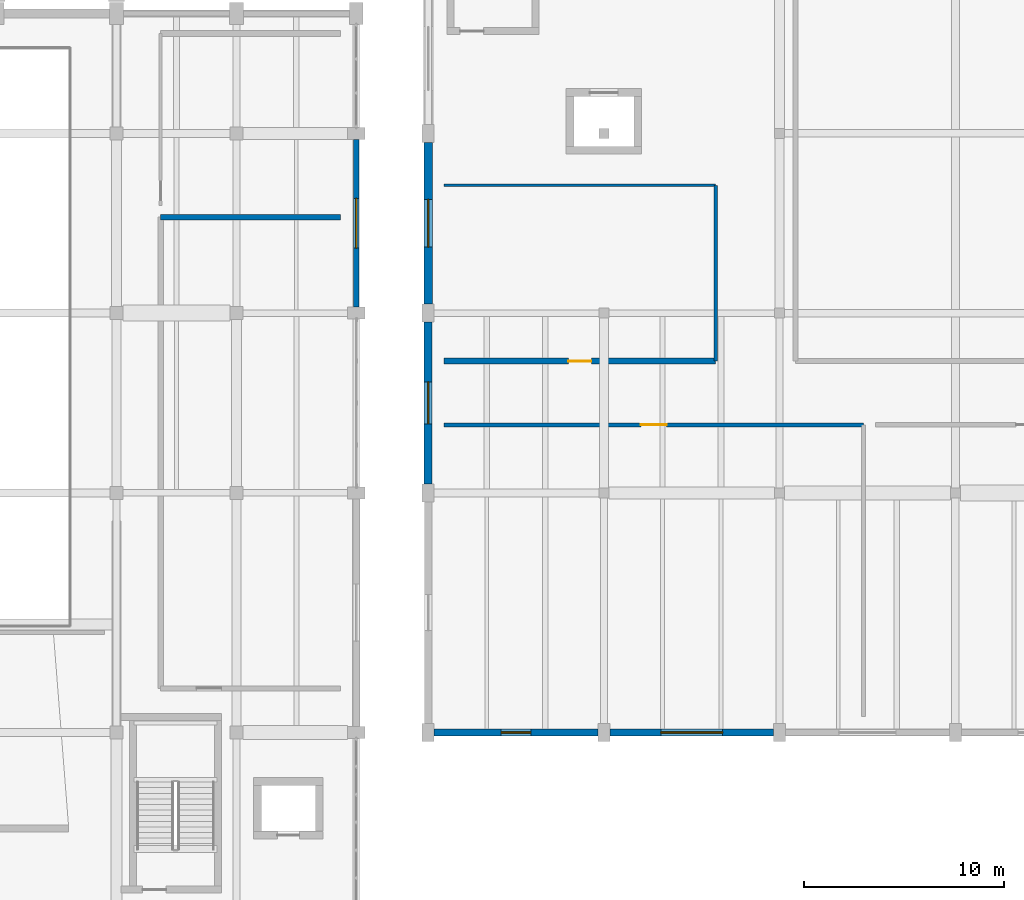
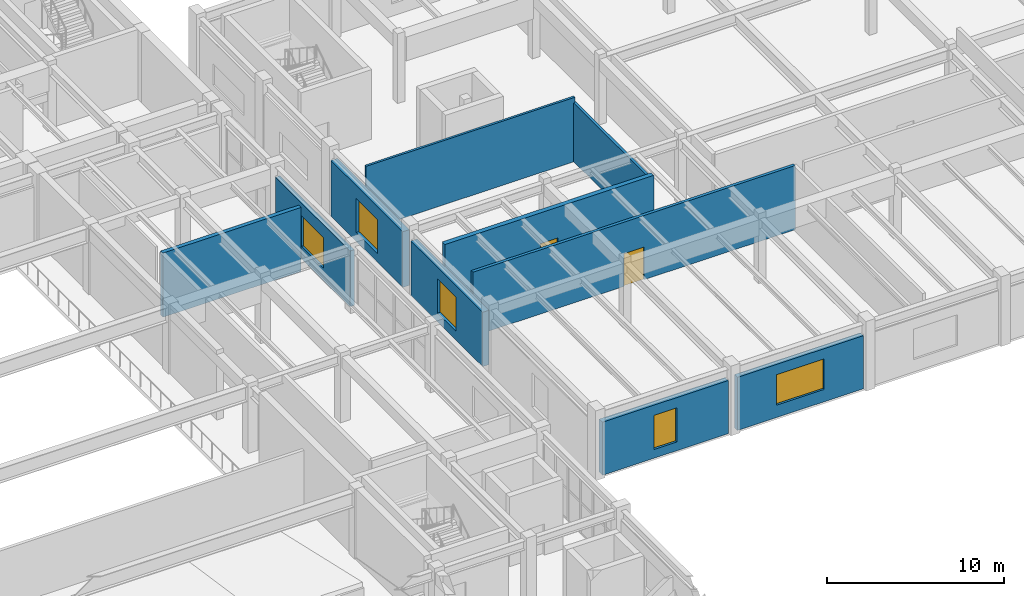
# One storey, part 59 of 80: 10 walls, 5 windows, 2 doors, 7 openings.
"""IFC4 building model written with IfcOpenShell, lengths in metres."""

from ifc_helpers import new_model, si_unit, direction, frame, frame_2d, origin, place, context, subcontext, project, spatial, rectangle, extrude, material, layer, layer_set, type_object, element, fill, save


model = new_model("IFC4")

# Units and contexts
model_context = context("Model", 3, precision=1e-05, world=origin(), true_north=direction((0.0, 1.0)))
body_context = subcontext(model_context, "Body", "Model", "MODEL_VIEW")
ifc_project = project(units=[si_unit("LENGTHUNIT", "METRE"), si_unit("AREAUNIT", "SQUARE_METRE"), si_unit("VOLUMEUNIT", "CUBIC_METRE"), si_unit("PLANEANGLEUNIT", "RADIAN"), si_unit("MASSUNIT", "GRAM", prefix="KILO")], contexts=[model_context])

# Site, building, storey
site_placement = place(None, origin())
site = spatial("IfcSite", under=ifc_project, at=site_placement, CompositionType="ELEMENT")
building_placement = place(site_placement, origin())
building = spatial("IfcBuilding", under=site, at=building_placement, Name="Vaelkrest Opera House", CompositionType="ELEMENT")
storey_placement = place(building_placement, frame((0.0, 0.0, 15.0)))
storey = spatial("IfcBuildingStorey", under=building, at=storey_placement, Name="L03", CompositionType="ELEMENT", Elevation=15.0)

# Wall, opening, window
ifc_material_1 = material(Name="Douglas fir glulam GL28h", Category="wood")
ifc_layer_1 = layer(ifc_material_1, 0.294921875)
ifc_layer_set_1 = layer_set([ifc_layer_1], Name="Douglas fir glulam GL28h")
wall_type_1 = type_object("IfcWallType", Name="EW03", PredefinedType="STANDARD", material=ifc_layer_set_1)
wall_1_placement = place(storey_placement, frame((30.0, 9.902099609375, 0.0), z_axis=(0.0, 0.0, 1.0), x_axis=(0.0, -1.0, 0.0)))
wall_1 = element("IfcWall", 1, at=wall_1_placement, inside=storey, type_object=wall_type_1, Name="Exterior facade wall EW-V1-L03-0093", PredefinedType="STANDARD", context=body_context, shape_type="SweptSolid", body=[
    extrude(rectangle(XDim=8.404052734375, YDim=0.294921875, at=frame_2d((4.2021484375, 0.0))), origin(), (0.0, 0.0, 1.0), 3.8291015625),
])
opening_1_placement = place(wall_1_placement, frame((2.951904296875, 0.0, 0.85009765625)))
opening_1 = element("IfcOpeningElement", 2, at=opening_1_placement, cuts=wall_1, Name="Opening WN044", PredefinedType="OPENING", context=body_context, shape_type="SweptSolid", body=[
    extrude(rectangle(XDim=2.5, YDim=2.10009765625, at=frame_2d((1.25, 1.050048828125))), frame((0.0, 0.157470703125, 0.0), z_axis=(0.0, -1.0, 0.0), x_axis=(1.0, 0.0, 0.0)), (0.0, 0.0, 1.0), 0.31494140625),
])
ifc_material_2 = material(Name="Double low-E insulated glazing", Category="glass")
window_type_1 = type_object("IfcWindowType", Name="WT18", PartitioningType="SINGLE_PANEL", PredefinedType="WINDOW", material=ifc_material_2)
window_1_placement = place(opening_1_placement, origin())
window_1 = element("IfcWindow", 3, at=window_1_placement, inside=storey, type_object=window_type_1, Name="Facade window WN044", OverallHeight=2.10009765625, OverallWidth=2.5, PartitioningType="SINGLE_PANEL", PredefinedType="WINDOW", context=body_context, shape_type="SweptSolid", body=[
    extrude(rectangle(XDim=2.5, YDim=2.10009765625, at=frame_2d((1.25, 1.050048828125))), frame((0.0, 0.030029296875, 0.0), z_axis=(0.0, -1.0, 0.0), x_axis=(1.0, 0.0, 0.0)), (0.0, 0.0, 1.0), 0.06005859375),
])
fill(opening_1, window_1)

ifc_material_3 = material(Name="American black walnut acoustic timber", Category="wood")
ifc_layer_2 = layer(ifc_material_3, 0.3349609375)
ifc_layer_set_2 = layer_set([ifc_layer_2], Name="American black walnut acoustic timber")
wall_type_2 = type_object("IfcWallType", Name="EW05", PredefinedType="STANDARD", material=ifc_layer_set_2)
wall_2_placement = place(storey_placement, frame((50.902099609375, -19.800048828125, 0.0), z_axis=(0.0, 0.0, 1.0), x_axis=(-1.0, 0.0, 0.0)))
wall_2 = element("IfcWall", 4, at=wall_2_placement, inside=storey, type_object=wall_type_2, Name="Exterior facade wall EW-V4-L03-0265", PredefinedType="STANDARD", context=body_context, shape_type="SweptSolid", body=[
    extrude(rectangle(XDim=8.2041015625, YDim=0.3349609375, at=frame_2d((4.10205078125, 0.0))), origin(), (0.0, 0.0, 1.0), 3.659912109375),
])
opening_2_placement = place(wall_2_placement, frame((2.552001953125, 0.0, 0.85009765625)))
opening_2 = element("IfcOpeningElement", 5, at=opening_2_placement, cuts=wall_2, Name="Opening WN150", PredefinedType="OPENING", context=body_context, shape_type="SweptSolid", body=[
    extrude(rectangle(XDim=3.10009765625, YDim=2.10009765625, at=frame_2d((1.550048828125, 1.050048828125))), frame((0.0, 0.177490234375, 0.0), z_axis=(0.0, -1.0, 0.0), x_axis=(1.0, 0.0, 0.0)), (0.0, 0.0, 1.0), 0.35498046875),
])
window_type_2 = type_object("IfcWindowType", Name="WT20", PartitioningType="SINGLE_PANEL", PredefinedType="WINDOW", material=ifc_material_2)
window_2_placement = place(opening_2_placement, origin())
window_2 = element("IfcWindow", 6, at=window_2_placement, inside=storey, type_object=window_type_2, Name="Facade window WN150", OverallHeight=2.10009765625, OverallWidth=3.10009765625, PartitioningType="SINGLE_PANEL", PredefinedType="WINDOW", context=body_context, shape_type="SweptSolid", body=[
    extrude(rectangle(XDim=3.10009765625, YDim=2.10009765625, at=frame_2d((1.550048828125, 1.050048828125))), frame((0.0, 0.030029296875, 0.0), z_axis=(0.0, -1.0, 0.0), x_axis=(1.0, 0.0, 0.0)), (0.0, 0.0, 1.0), 0.06005859375),
])
fill(opening_2, window_2)

ifc_layer_3 = layer(ifc_material_3, 0.360107421875)
ifc_layer_set_3 = layer_set([ifc_layer_3], Name="American black walnut acoustic timber")
wall_type_3 = type_object("IfcWallType", Name="EW06", PredefinedType="STANDARD", material=ifc_layer_set_3)
wall_3_placement = place(storey_placement, frame((42.10205078125, -19.800048828125, 0.0), z_axis=(0.0, 0.0, 1.0), x_axis=(-1.0, 0.0, 0.0)))
wall_3 = element("IfcWall", 7, at=wall_3_placement, inside=storey, type_object=wall_type_3, Name="Exterior facade wall EW-V4-L03-0266", PredefinedType="STANDARD", context=body_context, shape_type="SweptSolid", body=[
    extrude(rectangle(XDim=8.2041015625, YDim=0.360107421875, at=frame_2d((4.10205078125, 0.0))), origin(), (0.0, 0.0, 1.0), 3.659912109375),
])
opening_3_placement = place(wall_3_placement, frame((3.35205078125, 0.0, 0.60009765625)))
opening_3 = element("IfcOpeningElement", 8, at=opening_3_placement, cuts=wall_3, Name="Opening WN151", PredefinedType="OPENING", context=body_context, shape_type="SweptSolid", body=[
    extrude(rectangle(XDim=1.5, YDim=2.35009765625, at=frame_2d((0.75, 1.175048828125))), frame((0.0, 0.18994140625, 0.0), z_axis=(0.0, -1.0, 0.0), x_axis=(1.0, 0.0, 0.0)), (0.0, 0.0, 1.0), 0.380126953125),
])
window_type_3 = type_object("IfcWindowType", Name="WT21", PartitioningType="SINGLE_PANEL", PredefinedType="WINDOW", material=ifc_material_2)
window_3_placement = place(opening_3_placement, origin())
window_3 = element("IfcWindow", 9, at=window_3_placement, inside=storey, type_object=window_type_3, Name="Facade window WN151", OverallHeight=2.35009765625, OverallWidth=1.5, PartitioningType="SINGLE_PANEL", PredefinedType="WINDOW", context=body_context, shape_type="SweptSolid", body=[
    extrude(rectangle(XDim=1.5, YDim=2.35009765625, at=frame_2d((0.75, 1.175048828125))), frame((0.0, 0.030029296875, 0.0), z_axis=(0.0, -1.0, 0.0), x_axis=(1.0, 0.0, 0.0)), (0.0, 0.0, 1.0), 0.06005859375),
])
fill(opening_3, window_3)

ifc_material_4 = material(Name="Concrete C40/50", Category="concrete")
ifc_layer_4 = layer(ifc_material_4, 0.409912109375)
ifc_layer_set_4 = layer_set([ifc_layer_4], Name="Concrete C40/50")
wall_type_4 = type_object("IfcWallType", Name="EW08", PredefinedType="STANDARD", material=ifc_layer_set_4)
wall_4_placement = place(storey_placement, frame((33.60009765625, -7.35205078125, 0.0), z_axis=(0.0, 0.0, 1.0), x_axis=(0.0, 1.0, 0.0)))
wall_4 = element("IfcWall", 10, at=wall_4_placement, inside=storey, type_object=wall_type_4, Name="Exterior facade wall EW-V4-L03-0268", PredefinedType="STANDARD", context=body_context, shape_type="SweptSolid", body=[
    extrude(rectangle(XDim=8.10400390625, YDim=0.409912109375, at=frame_2d((4.052001953125, 0.0))), origin(), (0.0, 0.0, 1.0), 3.743896484375),
])
opening_4_placement = place(wall_4_placement, frame((3.001953125, 0.0, 0.60009765625)))
opening_4 = element("IfcOpeningElement", 11, at=opening_4_placement, cuts=wall_4, Name="Opening WN153", PredefinedType="OPENING", context=body_context, shape_type="SweptSolid", body=[
    extrude(rectangle(XDim=2.10009765625, YDim=2.35009765625, at=frame_2d((1.050048828125, 1.175048828125))), frame((0.0, 0.21484375, 0.0), z_axis=(0.0, -1.0, 0.0), x_axis=(1.0, 0.0, 0.0)), (0.0, 0.0, 1.0), 0.429931640625),
])
window_type_4 = type_object("IfcWindowType", Name="WT23", PartitioningType="SINGLE_PANEL", PredefinedType="WINDOW", material=ifc_material_2)
window_4_placement = place(opening_4_placement, origin())
window_4 = element("IfcWindow", 12, at=window_4_placement, inside=storey, type_object=window_type_4, Name="Facade window WN153", OverallHeight=2.35009765625, OverallWidth=2.10009765625, PartitioningType="SINGLE_PANEL", PredefinedType="WINDOW", context=body_context, shape_type="SweptSolid", body=[
    extrude(rectangle(XDim=2.10009765625, YDim=2.35009765625, at=frame_2d((1.050048828125, 1.175048828125))), frame((0.0, 0.030029296875, 0.0), z_axis=(0.0, -1.0, 0.0), x_axis=(1.0, 0.0, 0.0)), (0.0, 0.0, 1.0), 0.06005859375),
])
fill(opening_4, window_4)

ifc_layer_5 = layer(ifc_material_4, 0.43505859375)
ifc_layer_set_5 = layer_set([ifc_layer_5], Name="Concrete C40/50")
wall_type_5 = type_object("IfcWallType", Name="EW09", PredefinedType="STANDARD", material=ifc_layer_set_5)
wall_5_placement = place(storey_placement, frame((33.60009765625, 1.64794921875, 0.0), z_axis=(0.0, 0.0, 1.0), x_axis=(0.0, 1.0, 0.0)))
wall_5 = element("IfcWall", 13, at=wall_5_placement, inside=storey, type_object=wall_type_5, Name="Exterior facade wall EW-V4-L03-0269", PredefinedType="STANDARD", context=body_context, shape_type="SweptSolid", body=[
    extrude(rectangle(XDim=8.10400390625, YDim=0.43505859375, at=frame_2d((4.052001953125, 0.0))), origin(), (0.0, 0.0, 1.0), 3.8291015625),
])
opening_5_placement = place(wall_5_placement, frame((2.85205078125, 0.0, 0.60009765625)))
opening_5 = element("IfcOpeningElement", 14, at=opening_5_placement, cuts=wall_5, Name="Opening WN154", PredefinedType="OPENING", context=body_context, shape_type="SweptSolid", body=[
    extrude(rectangle(XDim=2.39990234375, YDim=2.35009765625, at=frame_2d((1.199951171875, 1.175048828125))), frame((0.0, 0.2275390625, 0.0), z_axis=(0.0, -1.0, 0.0), x_axis=(1.0, 0.0, 0.0)), (0.0, 0.0, 1.0), 0.455078125),
])
window_type_5 = type_object("IfcWindowType", Name="WT24", PartitioningType="SINGLE_PANEL", PredefinedType="WINDOW", material=ifc_material_2)
window_5_placement = place(opening_5_placement, origin())
window_5 = element("IfcWindow", 15, at=window_5_placement, inside=storey, type_object=window_type_5, Name="Facade window WN154", OverallHeight=2.35009765625, OverallWidth=2.39990234375, PartitioningType="SINGLE_PANEL", PredefinedType="WINDOW", context=body_context, shape_type="SweptSolid", body=[
    extrude(rectangle(XDim=2.39990234375, YDim=2.35009765625, at=frame_2d((1.199951171875, 1.175048828125))), frame((0.0, 0.030029296875, 0.0), z_axis=(0.0, -1.0, 0.0), x_axis=(1.0, 0.0, 0.0)), (0.0, 0.0, 1.0), 0.06005859375),
])
fill(opening_5, window_5)

# Wall, opening, door
ifc_material_5 = material(Name="Gypsum acoustic board", Category="gypsum")
ifc_layer_6 = layer(ifc_material_5, 0.195068359375)
ifc_layer_set_6 = layer_set([ifc_layer_6], Name="Gypsum acoustic board")
wall_type_6 = type_object("IfcWallType", Name="PT06", PredefinedType="PARTITIONING", material=ifc_layer_set_6)
wall_6_placement = place(storey_placement, frame((34.39990234375, -4.39990234375, 0.0), z_axis=(0.0, 0.0, 1.0), x_axis=(1.0, 0.0, 0.0)))
wall_6 = element("IfcWall", 16, at=wall_6_placement, inside=storey, type_object=wall_type_6, Name="Interior partition PT-V4-L03-0384", PredefinedType="PARTITIONING", context=body_context, shape_type="SweptSolid", body=[
    extrude(rectangle(XDim=21.0, YDim=0.195068359375, at=frame_2d((10.5, 0.0))), origin(), (0.0, 0.0, 1.0), 4.419921875),
])
opening_6_placement = place(wall_6_placement, frame((9.85009765625, 0.0, 0.0)))
opening_6 = element("IfcOpeningElement", 17, at=opening_6_placement, cuts=wall_6, Name="Opening D158", PredefinedType="OPENING", context=body_context, shape_type="SweptSolid", body=[
    extrude(rectangle(XDim=1.300048828125, YDim=2.25, at=frame_2d((0.64990234375, 1.125))), frame((0.0, 0.107421875, 0.0), z_axis=(0.0, -1.0, 0.0), x_axis=(1.0, 0.0, 0.0)), (0.0, 0.0, 1.0), 0.215087890625),
])
door_type_1 = type_object("IfcDoorType", Name="DT09", OperationType="NOTDEFINED", PredefinedType="DOOR", material=ifc_material_3)
door_1_placement = place(opening_6_placement, origin())
door_1 = element("IfcDoor", 18, at=door_1_placement, inside=storey, type_object=door_type_1, Name="Interior door D158 (Orchestra Dressing Room)", OperationType="SINGLE_SWING_LEFT", OverallHeight=2.25, OverallWidth=1.300048828125, PredefinedType="DOOR", context=body_context, shape_type="SweptSolid", body=[
    extrude(rectangle(XDim=1.300048828125, YDim=2.25, at=frame_2d((0.64990234375, 1.125))), frame((0.0, 0.02490234375, 0.0), z_axis=(0.0, -1.0, 0.0), x_axis=(1.0, 0.0, 0.0)), (0.0, 0.0, 1.0), 0.050048828125),
])
fill(opening_6, door_1)

# Wall
ifc_layer_7 = layer(ifc_material_4, 0.260009765625)
ifc_layer_set_7 = layer_set([ifc_layer_7], Name="Concrete C40/50")
wall_type_7 = type_object("IfcWallType", Name="PT10", PredefinedType="PARTITIONING", material=ifc_layer_set_7)
wall_7_placement = place(storey_placement, frame((20.199951171875, 6.0, 0.0), z_axis=(0.0, 0.0, 1.0), x_axis=(1.0, 0.0, 0.0)))
element("IfcWall", 19, at=wall_7_placement, inside=storey, type_object=wall_type_7, Name="Interior partition PT-V1-L03-0094", PredefinedType="PARTITIONING", context=body_context, shape_type="SweptSolid", body=[
    extrude(rectangle(XDim=9.0, YDim=0.260009765625, at=frame_2d((4.5, 0.0))), origin(), (0.0, 0.0, 1.0), 4.419921875),
])

# Wall, opening, door
ifc_layer_8 = layer(ifc_material_4, 0.304931640625)
ifc_layer_set_8 = layer_set([ifc_layer_8], Name="Concrete C40/50")
wall_type_8 = type_object("IfcWallType", Name="PT12", PredefinedType="PARTITIONING", material=ifc_layer_set_8)
wall_8_placement = place(storey_placement, frame((34.39990234375, -1.199951171875, 0.0), z_axis=(0.0, 0.0, 1.0), x_axis=(1.0, 0.0, 0.0)))
wall_8 = element("IfcWall", 20, at=wall_8_placement, inside=storey, type_object=wall_type_8, Name="Interior partition PT-V4-L03-0390", PredefinedType="PARTITIONING", context=body_context, shape_type="SweptSolid", body=[
    extrude(rectangle(XDim=13.60009765625, YDim=0.304931640625, at=frame_2d((6.800048828125, 0.0))), origin(), (0.0, 0.0, 1.0), 4.419921875),
])
opening_7_placement = place(wall_8_placement, frame((6.22509765625, 0.0, 0.0)))
opening_7 = element("IfcOpeningElement", 21, at=opening_7_placement, cuts=wall_8, Name="Opening D161", PredefinedType="OPENING", context=body_context, shape_type="SweptSolid", body=[
    extrude(rectangle(XDim=1.14990234375, YDim=2.300048828125, at=frame_2d((0.574951171875, 1.14990234375))), frame((0.0, 0.162353515625, 0.0), z_axis=(0.0, -1.0, 0.0), x_axis=(1.0, 0.0, 0.0)), (0.0, 0.0, 1.0), 0.324951171875),
])
door_type_2 = type_object("IfcDoorType", Name="DT12", OperationType="NOTDEFINED", PredefinedType="DOOR", material=ifc_material_3)
door_2_placement = place(opening_7_placement, origin())
door_2 = element("IfcDoor", 22, at=door_2_placement, inside=storey, type_object=door_type_2, Name="Interior door D161 (Administration Office)", OperationType="SINGLE_SWING_RIGHT", OverallHeight=2.300048828125, OverallWidth=1.14990234375, PredefinedType="DOOR", context=body_context, shape_type="SweptSolid", body=[
    extrude(rectangle(XDim=1.14990234375, YDim=2.300048828125, at=frame_2d((0.574951171875, 1.14990234375))), frame((0.0, 0.02490234375, 0.0), z_axis=(0.0, -1.0, 0.0), x_axis=(1.0, 0.0, 0.0)), (0.0, 0.0, 1.0), 0.050048828125),
])
fill(opening_7, door_2)

# Walls
ifc_layer_9 = layer(ifc_material_5, 0.14501953125)
ifc_layer_set_9 = layer_set([ifc_layer_9], Name="Gypsum acoustic board")
wall_type_9 = type_object("IfcWallType", Name="PT13", PredefinedType="PARTITIONING", material=ifc_layer_set_9)
wall_9_placement = place(storey_placement, frame((34.39990234375, 7.60009765625, 0.0), z_axis=(0.0, 0.0, 1.0), x_axis=(1.0, 0.0, 0.0)))
element("IfcWall", 23, at=wall_9_placement, inside=storey, type_object=wall_type_9, Name="Interior partition PT-V4-L03-0391", PredefinedType="PARTITIONING", context=body_context, shape_type="SweptSolid", body=[
    extrude(rectangle(XDim=13.60009765625, YDim=0.14501953125, at=frame_2d((6.800048828125, 0.0))), origin(), (0.0, 0.0, 1.0), 4.419921875),
])
ifc_layer_10 = layer(ifc_material_3, 0.175048828125)
ifc_layer_set_10 = layer_set([ifc_layer_10], Name="American black walnut acoustic timber")
wall_type_10 = type_object("IfcWallType", Name="PT14", PredefinedType="PARTITIONING", material=ifc_layer_set_10)
wall_10_placement = place(storey_placement, frame((48.0, -1.199951171875, 0.0), z_axis=(0.0, 0.0, 1.0), x_axis=(0.0, 1.0, 0.0)))
element("IfcWall", 24, at=wall_10_placement, inside=storey, type_object=wall_type_10, Name="Interior partition PT-V4-L03-0392", PredefinedType="PARTITIONING", context=body_context, shape_type="SweptSolid", body=[
    extrude(rectangle(XDim=8.800048828125, YDim=0.175048828125, at=frame_2d((4.39990234375, 0.0))), origin(), (0.0, 0.0, 1.0), 4.047119140625),
])

save(model, "model.ifc")
